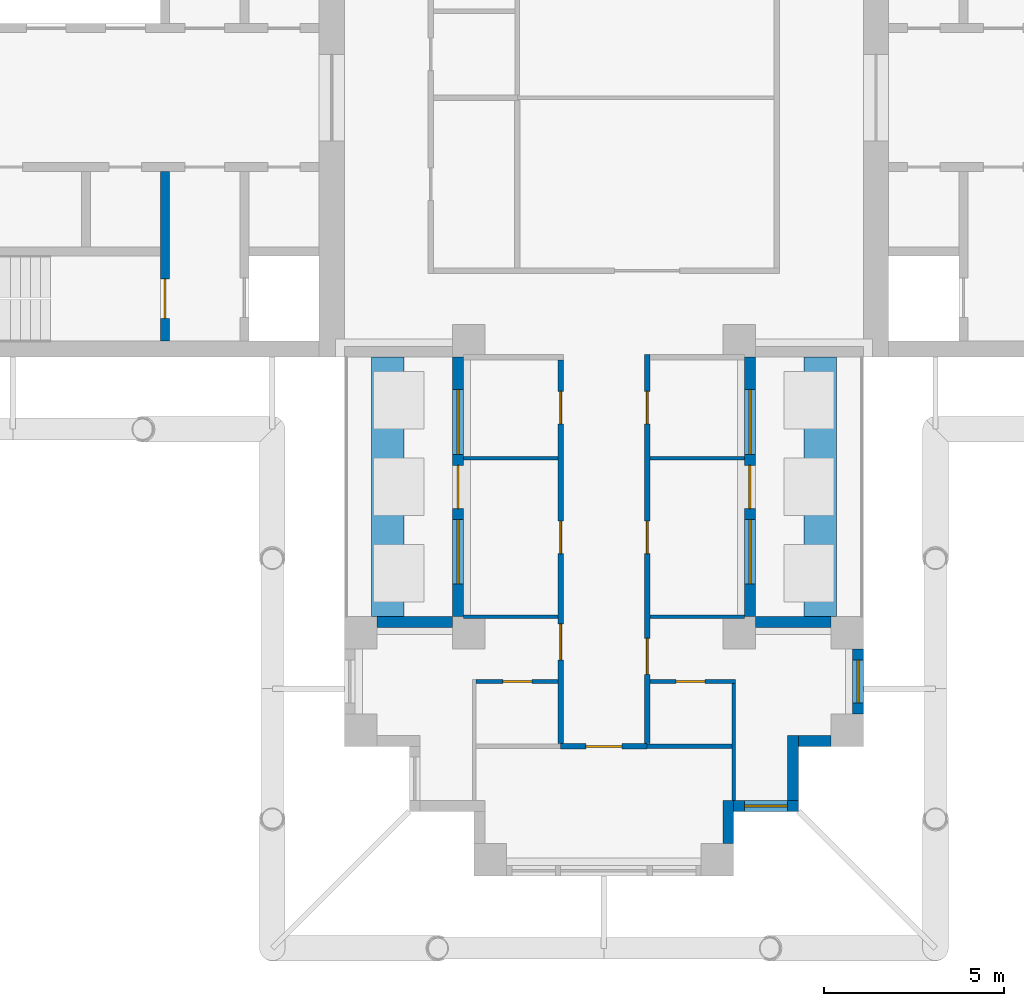
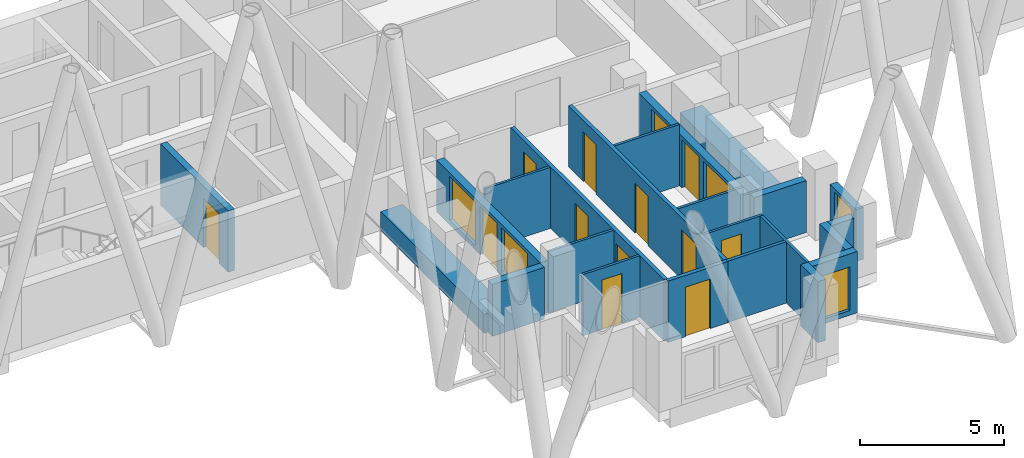
# One storey, part 5 of 13: 23 walls, 12 doors, 6 windows, 18 openings.
"""IFC4 building model written with IfcOpenShell, lengths in metres."""

from ifc_helpers import new_model, si_unit, direction, frame, frame_2d, origin, place, context, subcontext, project, spatial, rectangle, extrude, material, layer, layer_set, type_object, element, fill, save


model = new_model("IFC4")

# Units and contexts
model_context = context("Model", 3, precision=1e-05, world=origin(), true_north=direction((0.0, 1.0)))
body_context = subcontext(model_context, "Body", "Model", "MODEL_VIEW")
ifc_project = project(units=[si_unit("LENGTHUNIT", "METRE"), si_unit("AREAUNIT", "SQUARE_METRE"), si_unit("VOLUMEUNIT", "CUBIC_METRE"), si_unit("PLANEANGLEUNIT", "RADIAN"), si_unit("MASSUNIT", "GRAM", prefix="KILO")], contexts=[model_context])

# Site, building, storey
site_placement = place(None, origin())
site = spatial("IfcSite", under=ifc_project, at=site_placement, CompositionType="ELEMENT")
building_placement = place(site_placement, origin())
building = spatial("IfcBuilding", under=site, at=building_placement, Name="Fustian Cross Tower", CompositionType="ELEMENT")
storey_placement = place(building_placement, frame((0.0, 0.0, 153.300048828125)))
storey = spatial("IfcBuildingStorey", under=building, at=storey_placement, Name="L48", CompositionType="ELEMENT", Elevation=153.300048828125)

# Wall, openings, doors
ifc_material_1 = material(Name="Plasterboard on steel stud", Category="steel")
ifc_layer_1 = layer(ifc_material_1, 0.14990234375)
ifc_layer_set_1 = layer_set([ifc_layer_1], Name="Plasterboard on steel stud")
wall_type_1 = type_object("IfcWallType", Name="COMPARTMENT WALL 150 EI 60", PredefinedType="PARTITIONING", material=ifc_layer_set_1)
wall_1_placement = place(storey_placement, frame((-1.199951171875, -17.925048828125, 0.0), z_axis=(0.0, 0.0, 1.0), x_axis=(0.0, 1.0, 0.0)))
wall_1 = element("IfcWall", 1, at=wall_1_placement, inside=storey, type_object=wall_type_1, Name="Partition 36", PredefinedType="PARTITIONING", context=body_context, shape_type="SweptSolid", body=[
    extrude(rectangle(XDim=10.650146484375, YDim=0.14990234375, at=frame_2d((5.3251953125, 0.0))), origin(), (0.0, 0.0, 1.0), 2.599853515625),
])
opening_1_placement = place(wall_1_placement, frame((8.875, 0.0, 0.0)))
opening_1 = element("IfcOpeningElement", 2, at=opening_1_placement, cuts=wall_1, Name="Opening D21043", PredefinedType="OPENING", context=body_context, shape_type="SweptSolid", body=[
    extrude(rectangle(XDim=0.89990234375, YDim=2.10009765625, at=frame_2d((0.449951171875, 1.050048828125))), frame((0.0, 0.0849609375, 0.0), z_axis=(0.0, -1.0, 0.0), x_axis=(1.0, 0.0, 0.0)), (0.0, 0.0, 1.0), 0.169921875),
])
opening_2_placement = place(wall_1_placement, frame((5.27490234375, 0.0, 0.0)))
opening_2 = element("IfcOpeningElement", 3, at=opening_2_placement, cuts=wall_1, Name="Opening D21044", PredefinedType="OPENING", context=body_context, shape_type="SweptSolid", body=[
    extrude(rectangle(XDim=0.89990234375, YDim=2.10009765625, at=frame_2d((0.449951171875, 1.050048828125))), frame((0.0, 0.0849609375, 0.0), z_axis=(0.0, -1.0, 0.0), x_axis=(1.0, 0.0, 0.0)), (0.0, 0.0, 1.0), 0.169921875),
])
opening_3_placement = place(wall_1_placement, frame((2.324951171875, 0.0, 0.0)))
opening_3 = element("IfcOpeningElement", 4, at=opening_3_placement, cuts=wall_1, Name="Opening D21046", PredefinedType="OPENING", context=body_context, shape_type="SweptSolid", body=[
    extrude(rectangle(XDim=1.0, YDim=2.10009765625, at=frame_2d((0.5, 1.050048828125))), frame((0.0, 0.0849609375, 0.0), z_axis=(0.0, -1.0, 0.0), x_axis=(1.0, 0.0, 0.0)), (0.0, 0.0, 1.0), 0.169921875),
])
ifc_material_2 = material(Name="Timber fire door set", Category="wood")
door_type_1 = type_object("IfcDoorType", Name="FIRE SWING DOOR 1000 FD30S", OperationType="SINGLE_SWING_LEFT", PredefinedType="DOOR", material=ifc_material_2)
door_1_placement = place(opening_3_placement, origin())
door_1 = element("IfcDoor", 5, at=door_1_placement, inside=storey, type_object=door_type_1, Name="Door D21046", OperationType="SINGLE_SWING_RIGHT", OverallHeight=2.10009765625, OverallWidth=1.0, PredefinedType="DOOR", context=body_context, shape_type="SweptSolid", body=[
    extrude(rectangle(XDim=1.0, YDim=2.10009765625, at=frame_2d((0.5, 1.050048828125))), frame((0.0, 0.02490234375, 0.0), z_axis=(0.0, -1.0, 0.0), x_axis=(1.0, 0.0, 0.0)), (0.0, 0.0, 1.0), 0.050048828125),
])
fill(opening_3, door_1)
ifc_material_3 = material(Name="Timber fire door set", Category="wood")
door_type_2 = type_object("IfcDoorType", Name="FIRE SWING DOOR 900 FD30S", OperationType="SINGLE_SWING_LEFT", PredefinedType="DOOR", material=ifc_material_3)
door_2_placement = place(opening_1_placement, origin())
door_2 = element("IfcDoor", 6, at=door_2_placement, inside=storey, type_object=door_type_2, Name="Door D21043", OperationType="SINGLE_SWING_LEFT", OverallHeight=2.10009765625, OverallWidth=0.89990234375, PredefinedType="DOOR", context=body_context, shape_type="SweptSolid", body=[
    extrude(rectangle(XDim=0.89990234375, YDim=2.10009765625, at=frame_2d((0.449951171875, 1.050048828125))), frame((0.0, 0.02490234375, 0.0), z_axis=(0.0, -1.0, 0.0), x_axis=(1.0, 0.0, 0.0)), (0.0, 0.0, 1.0), 0.050048828125),
])
fill(opening_1, door_2)
door_3_placement = place(opening_2_placement, origin())
door_3 = element("IfcDoor", 7, at=door_3_placement, inside=storey, type_object=door_type_2, Name="Door D21044", OperationType="SINGLE_SWING_LEFT", OverallHeight=2.10009765625, OverallWidth=0.89990234375, PredefinedType="DOOR", context=body_context, shape_type="SweptSolid", body=[
    extrude(rectangle(XDim=0.89990234375, YDim=2.10009765625, at=frame_2d((0.449951171875, 1.050048828125))), frame((0.0, 0.02490234375, 0.0), z_axis=(0.0, -1.0, 0.0), x_axis=(1.0, 0.0, 0.0)), (0.0, 0.0, 1.0), 0.050048828125),
])
fill(opening_2, door_3)

# Wall, opening, door
wall_2_placement = place(storey_placement, frame((-1.199951171875, -18.0, 0.0), z_axis=(0.0, 0.0, 1.0), x_axis=(1.0, 0.0, 0.0)))
wall_2 = element("IfcWall", 8, at=wall_2_placement, inside=storey, type_object=wall_type_1, Name="Partition 37", PredefinedType="PARTITIONING", context=body_context, shape_type="SweptSolid", body=[
    extrude(rectangle(XDim=2.39990234375, YDim=0.14990234375, at=frame_2d((1.199951171875, 0.0))), origin(), (0.0, 0.0, 1.0), 2.599853515625),
])
opening_4_placement = place(wall_2_placement, frame((0.699951171875, 0.0, 0.0)))
opening_4 = element("IfcOpeningElement", 9, at=opening_4_placement, cuts=wall_2, Name="Opening D21038", PredefinedType="OPENING", context=body_context, shape_type="SweptSolid", body=[
    extrude(rectangle(XDim=1.0, YDim=2.10009765625, at=frame_2d((0.5, 1.050048828125))), frame((0.0, 0.0849609375, 0.0), z_axis=(0.0, -1.0, 0.0), x_axis=(1.0, 0.0, 0.0)), (0.0, 0.0, 1.0), 0.169921875),
])
door_4_placement = place(opening_4_placement, frame((1.0, 0.0, 0.0), z_axis=(0.0, 0.0, 1.0), x_axis=(-1.0, 0.0, 0.0)))
door_4 = element("IfcDoor", 10, at=door_4_placement, inside=storey, type_object=door_type_1, Name="Door D21038", OperationType="SINGLE_SWING_RIGHT", OverallHeight=2.10009765625, OverallWidth=1.0, PredefinedType="DOOR", context=body_context, shape_type="SweptSolid", body=[
    extrude(rectangle(XDim=1.0, YDim=2.10009765625, at=frame_2d((0.5, 1.050048828125))), frame((0.0, 0.02490234375, 0.0), z_axis=(0.0, -1.0, 0.0), x_axis=(1.0, 0.0, 0.0)), (0.0, 0.0, 1.0), 0.050048828125),
])
fill(opening_4, door_4)

# Wall, openings, doors
wall_3_placement = place(storey_placement, frame((1.199951171875, -17.925048828125, 0.0), z_axis=(0.0, 0.0, 1.0), x_axis=(0.0, 1.0, 0.0)))
wall_3 = element("IfcWall", 11, at=wall_3_placement, inside=storey, type_object=wall_type_1, Name="Partition 40", PredefinedType="PARTITIONING", context=body_context, shape_type="SweptSolid", body=[
    extrude(rectangle(XDim=10.800048828125, YDim=0.14990234375, at=frame_2d((5.39990234375, 0.0))), origin(), (0.0, 0.0, 1.0), 2.599853515625),
])
opening_5_placement = place(wall_3_placement, frame((8.875, 0.0, 0.0)))
opening_5 = element("IfcOpeningElement", 12, at=opening_5_placement, cuts=wall_3, Name="Opening D21039", PredefinedType="OPENING", context=body_context, shape_type="SweptSolid", body=[
    extrude(rectangle(XDim=0.89990234375, YDim=2.10009765625, at=frame_2d((0.449951171875, 1.050048828125))), frame((0.0, 0.0849609375, 0.0), z_axis=(0.0, -1.0, 0.0), x_axis=(1.0, 0.0, 0.0)), (0.0, 0.0, 1.0), 0.169921875),
])
opening_6_placement = place(wall_3_placement, frame((5.27490234375, 0.0, 0.0)))
opening_6 = element("IfcOpeningElement", 13, at=opening_6_placement, cuts=wall_3, Name="Opening D21040", PredefinedType="OPENING", context=body_context, shape_type="SweptSolid", body=[
    extrude(rectangle(XDim=0.89990234375, YDim=2.10009765625, at=frame_2d((0.449951171875, 1.050048828125))), frame((0.0, 0.0849609375, 0.0), z_axis=(0.0, -1.0, 0.0), x_axis=(1.0, 0.0, 0.0)), (0.0, 0.0, 1.0), 0.169921875),
])
opening_7_placement = place(wall_3_placement, frame((1.925048828125, 0.0, 0.0)))
opening_7 = element("IfcOpeningElement", 14, at=opening_7_placement, cuts=wall_3, Name="Opening D21042", PredefinedType="OPENING", context=body_context, shape_type="SweptSolid", body=[
    extrude(rectangle(XDim=1.0, YDim=2.10009765625, at=frame_2d((0.5, 1.050048828125))), frame((0.0, 0.0849609375, 0.0), z_axis=(0.0, -1.0, 0.0), x_axis=(1.0, 0.0, 0.0)), (0.0, 0.0, 1.0), 0.169921875),
])
door_5_placement = place(opening_7_placement, frame((1.0, 0.0, 0.0), z_axis=(0.0, 0.0, 1.0), x_axis=(-1.0, 0.0, 0.0)))
door_5 = element("IfcDoor", 15, at=door_5_placement, inside=storey, type_object=door_type_1, Name="Door D21042", OperationType="SINGLE_SWING_RIGHT", OverallHeight=2.10009765625, OverallWidth=1.0, PredefinedType="DOOR", context=body_context, shape_type="SweptSolid", body=[
    extrude(rectangle(XDim=1.0, YDim=2.10009765625, at=frame_2d((0.5, 1.050048828125))), frame((0.0, 0.02490234375, 0.0), z_axis=(0.0, -1.0, 0.0), x_axis=(1.0, 0.0, 0.0)), (0.0, 0.0, 1.0), 0.050048828125),
])
fill(opening_7, door_5)
door_6_placement = place(opening_5_placement, frame((0.89990234375, 0.0, 0.0), z_axis=(0.0, 0.0, 1.0), x_axis=(-1.0, 0.0, 0.0)))
door_6 = element("IfcDoor", 16, at=door_6_placement, inside=storey, type_object=door_type_2, Name="Door D21039", OperationType="SINGLE_SWING_RIGHT", OverallHeight=2.10009765625, OverallWidth=0.89990234375, PredefinedType="DOOR", context=body_context, shape_type="SweptSolid", body=[
    extrude(rectangle(XDim=0.89990234375, YDim=2.10009765625, at=frame_2d((0.449951171875, 1.050048828125))), frame((0.0, 0.02490234375, 0.0), z_axis=(0.0, -1.0, 0.0), x_axis=(1.0, 0.0, 0.0)), (0.0, 0.0, 1.0), 0.050048828125),
])
fill(opening_5, door_6)
door_7_placement = place(opening_6_placement, frame((0.89990234375, 0.0, 0.0), z_axis=(0.0, 0.0, 1.0), x_axis=(-1.0, 0.0, 0.0)))
door_7 = element("IfcDoor", 17, at=door_7_placement, inside=storey, type_object=door_type_2, Name="Door D21040", OperationType="SINGLE_SWING_RIGHT", OverallHeight=2.10009765625, OverallWidth=0.89990234375, PredefinedType="DOOR", context=body_context, shape_type="SweptSolid", body=[
    extrude(rectangle(XDim=0.89990234375, YDim=2.10009765625, at=frame_2d((0.449951171875, 1.050048828125))), frame((0.0, 0.02490234375, 0.0), z_axis=(0.0, -1.0, 0.0), x_axis=(1.0, 0.0, 0.0)), (0.0, 0.0, 1.0), 0.050048828125),
])
fill(opening_6, door_7)

# Wall, opening, door
ifc_material_4 = material(Name="Concrete C50/60", Category="concrete")
ifc_layer_2 = layer(ifc_material_4, 0.25)
ifc_layer_set_2 = layer_set([ifc_layer_2], Name="Concrete C50/60")
wall_type_2 = type_object("IfcWallType", Name="CORE SHAFT WALL 250 C50/60", PredefinedType="SHEAR", material=ifc_layer_set_2)
wall_4_placement = place(storey_placement, frame((-12.175048828125, -2.050048828125, 0.0), z_axis=(0.0, 0.0, 1.0), x_axis=(0.0, -1.0, 0.0)))
wall_4 = element("IfcWall", 18, at=wall_4_placement, inside=storey, type_object=wall_type_2, Name="Core shaft wall", PredefinedType="SHEAR", context=body_context, shape_type="SweptSolid", body=[
    extrude(rectangle(XDim=4.699951171875, YDim=0.25, at=frame_2d((2.35009765625, 0.0))), origin(), (0.0, 0.0, 1.0), 2.599853515625),
])
opening_8_placement = place(wall_4_placement, frame((2.97509765625, 0.0, 0.0)))
opening_8 = element("IfcOpeningElement", 19, at=opening_8_placement, cuts=wall_4, Name="Opening CD-16-24", PredefinedType="OPENING", context=body_context, shape_type="SweptSolid", body=[
    extrude(rectangle(XDim=1.10009765625, YDim=2.10009765625, at=frame_2d((0.550048828125, 1.050048828125))), frame((0.0, 0.135009765625, 0.0), z_axis=(0.0, -1.0, 0.0), x_axis=(1.0, 0.0, 0.0)), (0.0, 0.0, 1.0), 0.27001953125),
])
ifc_material_5 = material(Name="Steel", Category="steel")
door_type_3 = type_object("IfcDoorType", Name="FIRE DOOR FD60S 1100X2100", OperationType="SINGLE_SWING_LEFT", PredefinedType="DOOR", material=ifc_material_5)
door_8_placement = place(opening_8_placement, frame((1.10009765625, 0.0, 0.0), z_axis=(0.0, 0.0, 1.0), x_axis=(-1.0, 0.0, 0.0)))
door_8 = element("IfcDoor", 20, at=door_8_placement, inside=storey, type_object=door_type_3, Name="Core door CD-16-24", OperationType="SINGLE_SWING_RIGHT", OverallHeight=2.10009765625, OverallWidth=1.10009765625, PredefinedType="DOOR", context=body_context, shape_type="SweptSolid", body=[
    extrude(rectangle(XDim=1.10009765625, YDim=2.10009765625, at=frame_2d((0.550048828125, 1.050048828125))), frame((0.0, 0.02490234375, 0.0), z_axis=(0.0, -1.0, 0.0), x_axis=(1.0, 0.0, 0.0)), (0.0, 0.0, 1.0), 0.050048828125),
])
fill(opening_8, door_8)

# Walls
ifc_material_6 = material(Name="Plasterboard on steel stud", Category="steel")
ifc_layer_3 = layer(ifc_material_6, 0.10009765625)
ifc_layer_set_3 = layer_set([ifc_layer_3], Name="Plasterboard on steel stud")
wall_type_3 = type_object("IfcWallType", Name="PARTITION 100 STUD", PredefinedType="PARTITIONING", material=ifc_layer_set_3)
for number, where, z_axis, x_axis, name in (
    (21, (-3.89990234375, -14.39990234375, 0.0), (0.0, 0.0, 1.0), (1.0, 0.0, 0.0), "Partition 21"),
    (22, (-3.89990234375, -10.0, 0.0), (0.0, 0.0, 1.0), (1.0, 0.0, 0.0), "Partition 22"),
):
    element("IfcWall", number, at=place(storey_placement, frame(where, z_axis=z_axis, x_axis=x_axis)), inside=storey, type_object=wall_type_3, Name=name, PredefinedType="PARTITIONING", context=body_context, shape_type="SweptSolid", body=[
        extrude(rectangle(XDim=2.625, YDim=0.10009765625, at=frame_2d((1.3125, 0.0))), origin(), (0.0, 0.0, 1.0), 2.599853515625),
    ])

# Wall, opening, door
wall_5_placement = place(storey_placement, frame((-3.550048828125, -16.199951171875, 0.0), z_axis=(0.0, 0.0, 1.0), x_axis=(1.0, 0.0, 0.0)))
wall_5 = element("IfcWall", 23, at=wall_5_placement, inside=storey, type_object=wall_type_3, Name="Partition 29", PredefinedType="PARTITIONING", context=body_context, shape_type="SweptSolid", body=[
    extrude(rectangle(XDim=2.275146484375, YDim=0.10009765625, at=frame_2d((1.1376953125, 0.0))), origin(), (0.0, 0.0, 1.0), 2.599853515625),
])
opening_9_placement = place(wall_5_placement, frame((0.75, 0.0, 0.0)))
opening_9 = element("IfcOpeningElement", 24, at=opening_9_placement, cuts=wall_5, Name="Opening D21045", PredefinedType="OPENING", context=body_context, shape_type="SweptSolid", body=[
    extrude(rectangle(XDim=0.800048828125, YDim=2.10009765625, at=frame_2d((0.39990234375, 1.050048828125))), frame((0.0, 0.06005859375, 0.0), z_axis=(0.0, -1.0, 0.0), x_axis=(1.0, 0.0, 0.0)), (0.0, 0.0, 1.0), 0.1201171875),
])
ifc_material_7 = material(Name="Painted timber", Category="wood")
door_type_4 = type_object("IfcDoorType", Name="SWING DOOR 800", OperationType="SINGLE_SWING_LEFT", PredefinedType="DOOR", material=ifc_material_7)
door_9_placement = place(opening_9_placement, frame((0.800048828125, 0.0, 0.0), z_axis=(0.0, 0.0, 1.0), x_axis=(-1.0, 0.0, 0.0)))
door_9 = element("IfcDoor", 25, at=door_9_placement, inside=storey, type_object=door_type_4, Name="Door D21045", OperationType="SINGLE_SWING_RIGHT", OverallHeight=2.10009765625, OverallWidth=0.800048828125, PredefinedType="DOOR", context=body_context, shape_type="SweptSolid", body=[
    extrude(rectangle(XDim=0.800048828125, YDim=2.10009765625, at=frame_2d((0.39990234375, 1.050048828125))), frame((0.0, 0.02490234375, 0.0), z_axis=(0.0, -1.0, 0.0), x_axis=(1.0, 0.0, 0.0)), (0.0, 0.0, 1.0), 0.050048828125),
])
fill(opening_9, door_9)

wall_6_placement = place(storey_placement, frame((1.27490234375, -16.199951171875, 0.0), z_axis=(0.0, 0.0, 1.0), x_axis=(1.0, 0.0, 0.0)))
wall_6 = element("IfcWall", 26, at=wall_6_placement, inside=storey, type_object=wall_type_3, Name="Partition 42", PredefinedType="PARTITIONING", context=body_context, shape_type="SweptSolid", body=[
    extrude(rectangle(XDim=2.375, YDim=0.10009765625, at=frame_2d((1.1875, 0.0))), origin(), (0.0, 0.0, 1.0), 2.599853515625),
])
opening_10_placement = place(wall_6_placement, frame((0.72509765625, 0.0, 0.0)))
opening_10 = element("IfcOpeningElement", 27, at=opening_10_placement, cuts=wall_6, Name="Opening D21041", PredefinedType="OPENING", context=body_context, shape_type="SweptSolid", body=[
    extrude(rectangle(XDim=0.800048828125, YDim=2.10009765625, at=frame_2d((0.39990234375, 1.050048828125))), frame((0.0, 0.06005859375, 0.0), z_axis=(0.0, -1.0, 0.0), x_axis=(1.0, 0.0, 0.0)), (0.0, 0.0, 1.0), 0.1201171875),
])
door_10_placement = place(opening_10_placement, frame((0.800048828125, 0.0, 0.0), z_axis=(0.0, 0.0, 1.0), x_axis=(-1.0, 0.0, 0.0)))
door_10 = element("IfcDoor", 28, at=door_10_placement, inside=storey, type_object=door_type_4, Name="Door D21041", OperationType="SINGLE_SWING_RIGHT", OverallHeight=2.10009765625, OverallWidth=0.800048828125, PredefinedType="DOOR", context=body_context, shape_type="SweptSolid", body=[
    extrude(rectangle(XDim=0.800048828125, YDim=2.10009765625, at=frame_2d((0.39990234375, 1.050048828125))), frame((0.0, 0.02490234375, 0.0), z_axis=(0.0, -1.0, 0.0), x_axis=(1.0, 0.0, 0.0)), (0.0, 0.0, 1.0), 0.050048828125),
])
fill(opening_10, door_10)

# Walls
for number, where, z_axis, x_axis, name in (
    (29, (1.27490234375, -14.39990234375, 0.0), (0.0, 0.0, 1.0), (1.0, 0.0, 0.0), "Partition 43"),
    (30, (1.27490234375, -10.0, 0.0), (0.0, 0.0, 1.0), (1.0, 0.0, 0.0), "Partition 44"),
):
    element("IfcWall", number, at=place(storey_placement, frame(where, z_axis=z_axis, x_axis=x_axis)), inside=storey, type_object=wall_type_3, Name=name, PredefinedType="PARTITIONING", context=body_context, shape_type="SweptSolid", body=[
        extrude(rectangle(XDim=2.625, YDim=0.10009765625, at=frame_2d((1.3125, 0.0))), origin(), (0.0, 0.0, 1.0), 2.599853515625),
    ])
wall_7_placement = place(storey_placement, frame((3.60009765625, -19.5, 0.0), z_axis=(0.0, 0.0, 1.0), x_axis=(0.0, 1.0, 0.0)))
element("IfcWall", 31, at=wall_7_placement, inside=storey, type_object=wall_type_3, Name="Partition 52", PredefinedType="PARTITIONING", context=body_context, shape_type="SweptSolid", body=[
    extrude(rectangle(XDim=3.25, YDim=0.10009765625, at=frame_2d((1.625, 0.0))), origin(), (0.0, 0.0, 1.0), 2.599853515625),
])
ifc_material_8 = material(Name="Concrete C40/50", Category="concrete")
ifc_layer_4 = layer(ifc_material_8, 0.89990234375)
ifc_layer_set_4 = layer_set([ifc_layer_4], Name="Concrete C40/50")
wall_type_4 = type_object("IfcWallType", Name="PK1 PLANTER 900", PredefinedType="PARAPET", material=ifc_layer_set_4)
for number, where, z_axis, x_axis, name in (
    (32, (6.0, -14.39990234375, 0.0), (0.0, 0.0, 1.0), (0.0, 1.0, 0.0), "PLANTER"),
    (33, (-6.0, -14.39990234375, 0.0), (0.0, 0.0, 1.0), (0.0, 1.0, 0.0), "PLANTER"),
):
    element("IfcWall", number, at=place(storey_placement, frame(where, z_axis=z_axis, x_axis=x_axis)), inside=storey, type_object=wall_type_4, Name=name, PredefinedType="PARAPET", context=body_context, shape_type="SweptSolid", body=[
        extrude(rectangle(XDim=7.199951171875, YDim=0.89990234375, at=frame_2d((3.60009765625, 0.0))), origin(), (0.0, 0.0, 1.0), 0.800048828125),
    ])
ifc_material_9 = material(Name="Plasterboard on steel stud", Category="steel")
ifc_layer_5 = layer(ifc_material_9, 0.125)
ifc_layer_set_5 = layer_set([ifc_layer_5], Name="Plasterboard on steel stud")
wall_type_5 = type_object("IfcWallType", Name="WET WALL 125 STUD", PredefinedType="PARTITIONING", material=ifc_layer_set_5)
wall_8_placement = place(storey_placement, frame((1.199951171875, -18.0, 0.0), z_axis=(0.0, 0.0, 1.0), x_axis=(1.0, 0.0, 0.0)))
element("IfcWall", 34, at=wall_8_placement, inside=storey, type_object=wall_type_5, Name="Partition 41", PredefinedType="PARTITIONING", context=body_context, shape_type="SweptSolid", body=[
    extrude(rectangle(XDim=2.35009765625, YDim=0.125, at=frame_2d((1.175048828125, 0.0))), origin(), (0.0, 0.0, 1.0), 2.599853515625),
])

# Wall, openings, door, windows
ifc_material_10 = material(Name="Dark aluminium cladding on insulated backing wall", Category="aluminium")
ifc_layer_6 = layer(ifc_material_10, 0.300048828125)
ifc_layer_set_6 = layer_set([ifc_layer_6], Name="Dark aluminium cladding on insulated backing wall")
wall_type_6 = type_object("IfcWallType", Name="XW1 EXTERNAL WALL 300", PredefinedType="SOLIDWALL", material=ifc_layer_set_6)
wall_9_placement = place(storey_placement, frame((-4.050048828125, -7.199951171875, 0.0), z_axis=(0.0, 0.0, 1.0), x_axis=(0.0, -1.0, 0.0)))
wall_9 = element("IfcWall", 35, at=wall_9_placement, inside=storey, type_object=wall_type_6, Name="External wall", PredefinedType="SOLIDWALL", context=body_context, shape_type="SweptSolid", body=[
    extrude(rectangle(XDim=7.199951171875, YDim=0.300048828125, at=frame_2d((3.60009765625, 0.0))), origin(), (0.0, 0.0, 1.0), 2.199951171875),
])
opening_11_placement = place(wall_9_placement, frame((3.0, 0.0, 0.0)))
opening_11 = element("IfcOpeningElement", 36, at=opening_11_placement, cuts=wall_9, Name="Opening XD4", PredefinedType="OPENING", context=body_context, shape_type="SweptSolid", body=[
    extrude(rectangle(XDim=1.199951171875, YDim=2.050048828125, at=frame_2d((0.60009765625, 1.02490234375))), frame((0.0, 0.159912109375, 0.0), z_axis=(0.0, -1.0, 0.0), x_axis=(1.0, 0.0, 0.0)), (0.0, 0.0, 1.0), 0.320068359375),
])
opening_12_placement = place(wall_9_placement, frame((0.89990234375, 0.0, 0.199951171875)))
opening_12 = element("IfcOpeningElement", 37, at=opening_12_placement, cuts=wall_9, Name="Opening WN2", PredefinedType="OPENING", context=body_context, shape_type="SweptSolid", body=[
    extrude(rectangle(XDim=1.800048828125, YDim=1.85009765625, at=frame_2d((0.89990234375, 0.925048828125))), frame((0.0, 0.159912109375, 0.0), z_axis=(0.0, -1.0, 0.0), x_axis=(1.0, 0.0, 0.0)), (0.0, 0.0, 1.0), 0.320068359375),
])
opening_13_placement = place(wall_9_placement, frame((4.5, 0.0, 0.199951171875)))
opening_13 = element("IfcOpeningElement", 38, at=opening_13_placement, cuts=wall_9, Name="Opening WN2", PredefinedType="OPENING", context=body_context, shape_type="SweptSolid", body=[
    extrude(rectangle(XDim=1.800048828125, YDim=1.85009765625, at=frame_2d((0.89990234375, 0.925048828125))), frame((0.0, 0.159912109375, 0.0), z_axis=(0.0, -1.0, 0.0), x_axis=(1.0, 0.0, 0.0)), (0.0, 0.0, 1.0), 0.320068359375),
])
ifc_material_11 = material(Name="Dark anodised aluminium and double glazing", Category="aluminium")
door_type_5 = type_object("IfcDoorType", Name="ED1 BALCONY DOOR 1200X2050", OperationType="SINGLE_SWING_LEFT", PredefinedType="DOOR", material=ifc_material_11)
door_11_placement = place(opening_11_placement, origin())
door_11 = element("IfcDoor", 39, at=door_11_placement, inside=storey, type_object=door_type_5, Name="Balcony door", OperationType="SINGLE_SWING_LEFT", OverallHeight=2.050048828125, OverallWidth=1.199951171875, PredefinedType="DOOR", context=body_context, shape_type="SweptSolid", body=[
    extrude(rectangle(XDim=1.199951171875, YDim=2.050048828125, at=frame_2d((0.60009765625, 1.02490234375))), frame((0.0, 0.02490234375, 0.0), z_axis=(0.0, -1.0, 0.0), x_axis=(1.0, 0.0, 0.0)), (0.0, 0.0, 1.0), 0.050048828125),
])
fill(opening_11, door_11)
ifc_material_12 = material(Name="Dark anodised aluminium and double glazing", Category="aluminium")
window_type_1 = type_object("IfcWindowType", Name="WN2 WINDOW 1800X1850", PartitioningType="SINGLE_PANEL", PredefinedType="WINDOW", material=ifc_material_12)
window_1_placement = place(opening_12_placement, origin())
window_1 = element("IfcWindow", 40, at=window_1_placement, inside=storey, type_object=window_type_1, Name="Window", OverallHeight=1.85009765625, OverallWidth=1.800048828125, PartitioningType="SINGLE_PANEL", PredefinedType="WINDOW", context=body_context, shape_type="SweptSolid", body=[
    extrude(rectangle(XDim=1.800048828125, YDim=1.85009765625, at=frame_2d((0.89990234375, 0.925048828125))), frame((0.0, 0.030029296875, 0.0), z_axis=(0.0, -1.0, 0.0), x_axis=(1.0, 0.0, 0.0)), (0.0, 0.0, 1.0), 0.06005859375),
])
fill(opening_12, window_1)
window_2_placement = place(opening_13_placement, origin())
window_2 = element("IfcWindow", 41, at=window_2_placement, inside=storey, type_object=window_type_1, Name="Window", OverallHeight=1.85009765625, OverallWidth=1.800048828125, PartitioningType="SINGLE_PANEL", PredefinedType="WINDOW", context=body_context, shape_type="SweptSolid", body=[
    extrude(rectangle(XDim=1.800048828125, YDim=1.85009765625, at=frame_2d((0.89990234375, 0.925048828125))), frame((0.0, 0.030029296875, 0.0), z_axis=(0.0, -1.0, 0.0), x_axis=(1.0, 0.0, 0.0)), (0.0, 0.0, 1.0), 0.06005859375),
])
fill(opening_13, window_2)

# Walls
wall_10_placement = place(storey_placement, frame((-4.199951171875, -14.550048828125, 0.0), z_axis=(0.0, 0.0, 1.0), x_axis=(-1.0, 0.0, 0.0)))
element("IfcWall", 42, at=wall_10_placement, inside=storey, type_object=wall_type_6, Name="External wall", PredefinedType="SOLIDWALL", context=body_context, shape_type="SweptSolid", body=[
    extrude(rectangle(XDim=2.10009765625, YDim=0.300048828125, at=frame_2d((1.050048828125, 0.0))), origin(), (0.0, 0.0, 1.0), 2.199951171875),
])
wall_11_placement = place(storey_placement, frame((3.449951171875, -20.699951171875, 0.0), z_axis=(0.0, 0.0, 1.0), x_axis=(0.0, 1.0, 0.0)))
element("IfcWall", 43, at=wall_11_placement, inside=storey, type_object=wall_type_6, Name="External wall", PredefinedType="SOLIDWALL", context=body_context, shape_type="SweptSolid", body=[
    extrude(rectangle(XDim=1.199951171875, YDim=0.300048828125, at=frame_2d((0.60009765625, 0.0))), origin(), (0.0, 0.0, 1.0), 2.599853515625),
])

# Wall, opening, window
wall_12_placement = place(storey_placement, frame((3.60009765625, -19.64990234375, 0.0), z_axis=(0.0, 0.0, 1.0), x_axis=(1.0, 0.0, 0.0)))
wall_12 = element("IfcWall", 44, at=wall_12_placement, inside=storey, type_object=wall_type_6, Name="External wall", PredefinedType="SOLIDWALL", context=body_context, shape_type="SweptSolid", body=[
    extrude(rectangle(XDim=1.7998046875, YDim=0.300048828125, at=frame_2d((0.89990234375, 0.0))), origin(), (0.0, 0.0, 1.0), 2.599853515625),
])
opening_14_placement = place(wall_12_placement, frame((0.300048828125, 0.0, 0.199951171875)))
opening_14 = element("IfcOpeningElement", 45, at=opening_14_placement, cuts=wall_12, Name="Opening WN3", PredefinedType="OPENING", context=body_context, shape_type="SweptSolid", body=[
    extrude(rectangle(XDim=1.199951171875, YDim=1.85009765625, at=frame_2d((0.60009765625, 0.925048828125))), frame((0.0, 0.159912109375, 0.0), z_axis=(0.0, -1.0, 0.0), x_axis=(1.0, 0.0, 0.0)), (0.0, 0.0, 1.0), 0.320068359375),
])
ifc_material_13 = material(Name="Dark anodised aluminium and double glazing", Category="aluminium")
window_type_2 = type_object("IfcWindowType", Name="WN3 WINDOW 1200X1850", PartitioningType="SINGLE_PANEL", PredefinedType="WINDOW", material=ifc_material_13)
window_3_placement = place(opening_14_placement, origin())
window_3 = element("IfcWindow", 46, at=window_3_placement, inside=storey, type_object=window_type_2, Name="Window", OverallHeight=1.85009765625, OverallWidth=1.199951171875, PartitioningType="SINGLE_PANEL", PredefinedType="WINDOW", context=body_context, shape_type="SweptSolid", body=[
    extrude(rectangle(XDim=1.199951171875, YDim=1.85009765625, at=frame_2d((0.60009765625, 0.925048828125))), frame((0.0, 0.030029296875, 0.0), z_axis=(0.0, -1.0, 0.0), x_axis=(1.0, 0.0, 0.0)), (0.0, 0.0, 1.0), 0.06005859375),
])
fill(opening_14, window_3)

# Walls
wall_13_placement = place(storey_placement, frame((5.25, -19.5, 0.0), z_axis=(0.0, 0.0, 1.0), x_axis=(0.0, 1.0, 0.0)))
element("IfcWall", 47, at=wall_13_placement, inside=storey, type_object=wall_type_6, Name="External wall", PredefinedType="SOLIDWALL", context=body_context, shape_type="SweptSolid", body=[
    extrude(rectangle(XDim=1.800048828125, YDim=0.300048828125, at=frame_2d((0.89990234375, 0.0))), origin(), (0.0, 0.0, 1.0), 2.599853515625),
])
wall_14_placement = place(storey_placement, frame((5.39990234375, -17.85009765625, 0.0), z_axis=(0.0, 0.0, 1.0), x_axis=(1.0, 0.0, 0.0)))
element("IfcWall", 48, at=wall_14_placement, inside=storey, type_object=wall_type_6, Name="External wall", PredefinedType="SOLIDWALL", context=body_context, shape_type="SweptSolid", body=[
    extrude(rectangle(XDim=0.900146484375, YDim=0.300048828125, at=frame_2d((0.4501953125, 0.0))), origin(), (0.0, 0.0, 1.0), 2.599853515625),
])

# Wall, opening, window
wall_15_placement = place(storey_placement, frame((7.050048828125, -17.10009765625, 0.0), z_axis=(0.0, 0.0, 1.0), x_axis=(0.0, 1.0, 0.0)))
wall_15 = element("IfcWall", 49, at=wall_15_placement, inside=storey, type_object=wall_type_6, Name="External wall", PredefinedType="SOLIDWALL", context=body_context, shape_type="SweptSolid", body=[
    extrude(rectangle(XDim=1.800048828125, YDim=0.300048828125, at=frame_2d((0.89990234375, 0.0))), origin(), (0.0, 0.0, 1.0), 2.199951171875),
])
opening_15_placement = place(wall_15_placement, frame((0.300048828125, 0.0, 0.199951171875)))
opening_15 = element("IfcOpeningElement", 50, at=opening_15_placement, cuts=wall_15, Name="Opening WN3", PredefinedType="OPENING", context=body_context, shape_type="SweptSolid", body=[
    extrude(rectangle(XDim=1.199951171875, YDim=1.85009765625, at=frame_2d((0.60009765625, 0.925048828125))), frame((0.0, 0.159912109375, 0.0), z_axis=(0.0, -1.0, 0.0), x_axis=(1.0, 0.0, 0.0)), (0.0, 0.0, 1.0), 0.320068359375),
])
window_4_placement = place(opening_15_placement, origin())
window_4 = element("IfcWindow", 51, at=window_4_placement, inside=storey, type_object=window_type_2, Name="Window", OverallHeight=1.85009765625, OverallWidth=1.199951171875, PartitioningType="SINGLE_PANEL", PredefinedType="WINDOW", context=body_context, shape_type="SweptSolid", body=[
    extrude(rectangle(XDim=1.199951171875, YDim=1.85009765625, at=frame_2d((0.60009765625, 0.925048828125))), frame((0.0, 0.030029296875, 0.0), z_axis=(0.0, -1.0, 0.0), x_axis=(1.0, 0.0, 0.0)), (0.0, 0.0, 1.0), 0.06005859375),
])
fill(opening_15, window_4)

# Wall
wall_16_placement = place(storey_placement, frame((6.300048828125, -14.550048828125, 0.0), z_axis=(0.0, 0.0, 1.0), x_axis=(-1.0, 0.0, 0.0)))
element("IfcWall", 52, at=wall_16_placement, inside=storey, type_object=wall_type_6, Name="External wall", PredefinedType="SOLIDWALL", context=body_context, shape_type="SweptSolid", body=[
    extrude(rectangle(XDim=2.10009765625, YDim=0.300048828125, at=frame_2d((1.050048828125, 0.0))), origin(), (0.0, 0.0, 1.0), 2.199951171875),
])

# Wall, openings, door, windows
wall_17_placement = place(storey_placement, frame((4.050048828125, -14.39990234375, 0.0), z_axis=(0.0, 0.0, 1.0), x_axis=(0.0, 1.0, 0.0)))
wall_17 = element("IfcWall", 53, at=wall_17_placement, inside=storey, type_object=wall_type_6, Name="External wall", PredefinedType="SOLIDWALL", context=body_context, shape_type="SweptSolid", body=[
    extrude(rectangle(XDim=7.199951171875, YDim=0.300048828125, at=frame_2d((3.60009765625, 0.0))), origin(), (0.0, 0.0, 1.0), 2.199951171875),
])
opening_16_placement = place(wall_17_placement, frame((3.0, 0.0, 0.0)))
opening_16 = element("IfcOpeningElement", 54, at=opening_16_placement, cuts=wall_17, Name="Opening XD3", PredefinedType="OPENING", context=body_context, shape_type="SweptSolid", body=[
    extrude(rectangle(XDim=1.199951171875, YDim=2.050048828125, at=frame_2d((0.60009765625, 1.02490234375))), frame((0.0, 0.159912109375, 0.0), z_axis=(0.0, -1.0, 0.0), x_axis=(1.0, 0.0, 0.0)), (0.0, 0.0, 1.0), 0.320068359375),
])
opening_17_placement = place(wall_17_placement, frame((0.89990234375, 0.0, 0.199951171875)))
opening_17 = element("IfcOpeningElement", 55, at=opening_17_placement, cuts=wall_17, Name="Opening WN2", PredefinedType="OPENING", context=body_context, shape_type="SweptSolid", body=[
    extrude(rectangle(XDim=1.800048828125, YDim=1.85009765625, at=frame_2d((0.89990234375, 0.925048828125))), frame((0.0, 0.159912109375, 0.0), z_axis=(0.0, -1.0, 0.0), x_axis=(1.0, 0.0, 0.0)), (0.0, 0.0, 1.0), 0.320068359375),
])
opening_18_placement = place(wall_17_placement, frame((4.5, 0.0, 0.199951171875)))
opening_18 = element("IfcOpeningElement", 56, at=opening_18_placement, cuts=wall_17, Name="Opening WN2", PredefinedType="OPENING", context=body_context, shape_type="SweptSolid", body=[
    extrude(rectangle(XDim=1.800048828125, YDim=1.85009765625, at=frame_2d((0.89990234375, 0.925048828125))), frame((0.0, 0.159912109375, 0.0), z_axis=(0.0, -1.0, 0.0), x_axis=(1.0, 0.0, 0.0)), (0.0, 0.0, 1.0), 0.320068359375),
])
door_12_placement = place(opening_16_placement, origin())
door_12 = element("IfcDoor", 57, at=door_12_placement, inside=storey, type_object=door_type_5, Name="Balcony door", OperationType="SINGLE_SWING_LEFT", OverallHeight=2.050048828125, OverallWidth=1.199951171875, PredefinedType="DOOR", context=body_context, shape_type="SweptSolid", body=[
    extrude(rectangle(XDim=1.199951171875, YDim=2.050048828125, at=frame_2d((0.60009765625, 1.02490234375))), frame((0.0, 0.02490234375, 0.0), z_axis=(0.0, -1.0, 0.0), x_axis=(1.0, 0.0, 0.0)), (0.0, 0.0, 1.0), 0.050048828125),
])
fill(opening_16, door_12)
window_5_placement = place(opening_17_placement, origin())
window_5 = element("IfcWindow", 58, at=window_5_placement, inside=storey, type_object=window_type_1, Name="Window", OverallHeight=1.85009765625, OverallWidth=1.800048828125, PartitioningType="SINGLE_PANEL", PredefinedType="WINDOW", context=body_context, shape_type="SweptSolid", body=[
    extrude(rectangle(XDim=1.800048828125, YDim=1.85009765625, at=frame_2d((0.89990234375, 0.925048828125))), frame((0.0, 0.030029296875, 0.0), z_axis=(0.0, -1.0, 0.0), x_axis=(1.0, 0.0, 0.0)), (0.0, 0.0, 1.0), 0.06005859375),
])
fill(opening_17, window_5)
window_6_placement = place(opening_18_placement, origin())
window_6 = element("IfcWindow", 59, at=window_6_placement, inside=storey, type_object=window_type_1, Name="Window", OverallHeight=1.85009765625, OverallWidth=1.800048828125, PartitioningType="SINGLE_PANEL", PredefinedType="WINDOW", context=body_context, shape_type="SweptSolid", body=[
    extrude(rectangle(XDim=1.800048828125, YDim=1.85009765625, at=frame_2d((0.89990234375, 0.925048828125))), frame((0.0, 0.030029296875, 0.0), z_axis=(0.0, -1.0, 0.0), x_axis=(1.0, 0.0, 0.0)), (0.0, 0.0, 1.0), 0.06005859375),
])
fill(opening_18, window_6)

save(model, "model.ifc")
